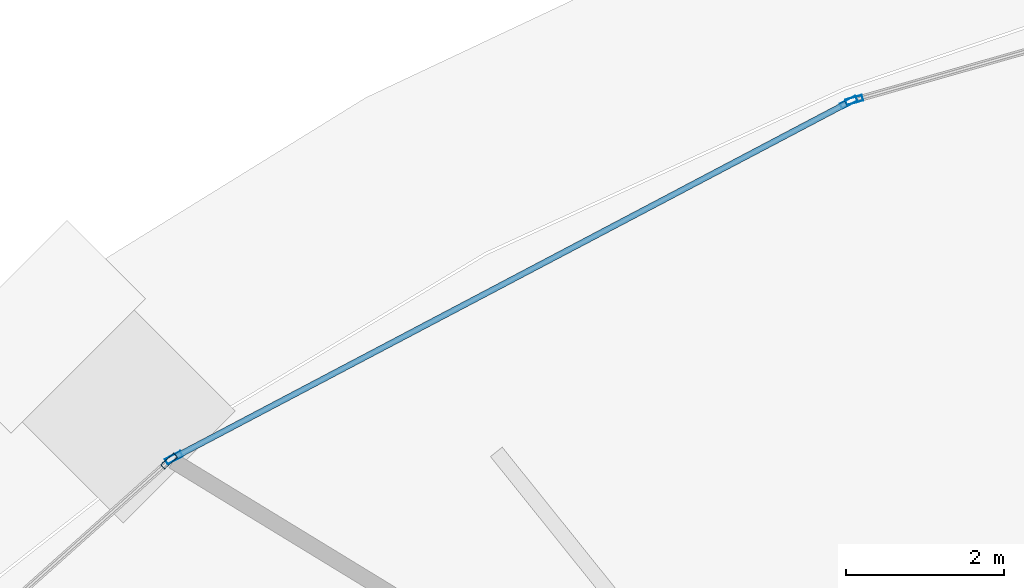
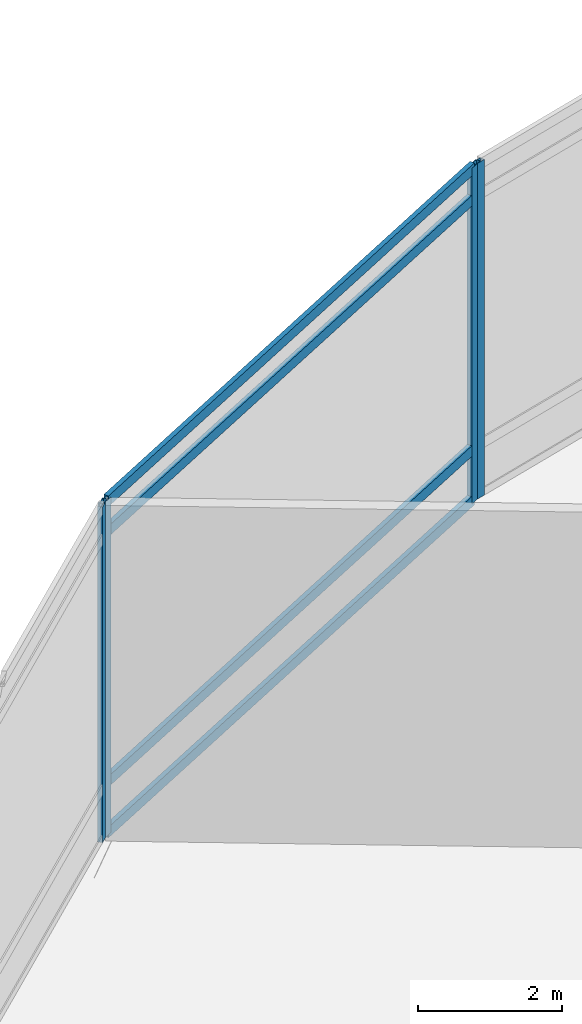
# One storey, part 18 of 40: 8 members, 3 elements without a shape of their own.
"""IFC4 building model written with IfcOpenShell, lengths in metres."""

from ifc_helpers import new_model, si_unit, direction, frame, origin, origin_2d, place, context, subcontext, project, spatial, hollow_rectangle, extrude, material, layer, layer_set, material_profile, profile_set, type_object, element, aggregate, save


model = new_model("IFC4")

# Units and contexts
model_context = context("Model", 3, precision=1e-05, world=origin(), true_north=direction((0.0, 1.0)))
body_context = subcontext(model_context, "Body", "Model", "MODEL_VIEW")
ifc_project = project(units=[si_unit("LENGTHUNIT", "METRE"), si_unit("AREAUNIT", "SQUARE_METRE"), si_unit("VOLUMEUNIT", "CUBIC_METRE"), si_unit("PLANEANGLEUNIT", "RADIAN"), si_unit("MASSUNIT", "GRAM", prefix="KILO")], contexts=[model_context])

# Site, building, storey
site_placement = place(None, origin())
site = spatial("IfcSite", under=ifc_project, at=site_placement, CompositionType="ELEMENT")
building_placement = place(site_placement, origin())
building = spatial("IfcBuilding", under=site, at=building_placement, Name="Nuhasar Tower", CompositionType="ELEMENT")
storey_placement = place(building_placement, origin())
storey = spatial("IfcBuildingStorey", under=building, at=storey_placement, Name="L00", CompositionType="ELEMENT", Elevation=0.0)

# Curtain wall, member
ifc_material = material(Name="Aluminium 6063-T6", Category="aluminium")
ifc_layer = layer(ifc_material, 0.219970703125)
ifc_layer_set = layer_set([ifc_layer], Name="Aluminium 6063-T6")
curtain_wall_type = type_object("IfcCurtainWallType", Name="CW-PODIUM", PredefinedType="NOTDEFINED", material=ifc_layer_set)
curtain_wall_1_placement = place(storey_placement, origin())
curtain_wall_1 = element("IfcCurtainWall", 1, at=curtain_wall_1_placement, inside=storey, type_object=curtain_wall_type, Name="L00 Podium Curtain Wall Bay 08", PredefinedType="NOTDEFINED")
ifc_material_profile_1 = material_profile(ifc_material, hollow_rectangle(XDim=0.074951171875, YDim=0.219970703125, WallThickness=0.0048828125, at=origin_2d()), Name="CWM-1")
ifc_profile_set_1 = profile_set([ifc_material_profile_1], Name="Aluminium 6063-T6")
member_type_1 = type_object("IfcMemberType", Name="CW-MUL-S1", PredefinedType="MULLION", material=ifc_profile_set_1)
member_1_placement = place(storey_placement, frame((18.316162109375, 51.440185546875, 0.0), z_axis=(0.0, 0.0, 1.0), x_axis=(0.273411675586, -0.961897112821, 0.0)))
member_1 = element("IfcMember", 2, at=member_1_placement, type_object=member_type_1, Name="CW-P1 mullion 2", PredefinedType="MULLION", context=body_context, shape_type="SweptSolid", body=[
    extrude(hollow_rectangle(XDim=0.074951171875, YDim=0.219970703125, WallThickness=0.0048828125, at=origin_2d()), origin(), (0.0, 0.0, 1.0), 5.699951171875),
])
aggregate(curtain_wall_1, [member_1])

# Curtain wall, members
curtain_wall_2_placement = place(storey_placement, origin())
curtain_wall_2 = element("IfcCurtainWall", 3, at=curtain_wall_2_placement, inside=storey, type_object=curtain_wall_type, Name="L00 Podium Curtain Wall Bay 09", PredefinedType="NOTDEFINED")
member_2_placement = place(storey_placement, frame((18.246826171875, 51.41259765625, 0.0), z_axis=(0.0, 0.0, 1.0), x_axis=(0.46595885722, -0.88480638751, 0.0)))
member_2 = element("IfcMember", 4, at=member_2_placement, type_object=member_type_1, Name="CW-P1 mullion 1", PredefinedType="MULLION", context=body_context, shape_type="SweptSolid", body=[
    extrude(hollow_rectangle(XDim=0.074951171875, YDim=0.219970703125, WallThickness=0.0048828125, at=origin_2d()), origin(), (0.0, 0.0, 1.0), 5.699951171875),
])
member_3_placement = place(storey_placement, frame((9.730224609375, 46.927490234375, 0.0), z_axis=(0.0, 0.0, 1.0), x_axis=(0.46595885722, -0.88480638751, 0.0)))
member_3 = element("IfcMember", 5, at=member_3_placement, type_object=member_type_1, Name="CW-P1 mullion 2", PredefinedType="MULLION", context=body_context, shape_type="SweptSolid", body=[
    extrude(hollow_rectangle(XDim=0.074951171875, YDim=0.219970703125, WallThickness=0.0048828125, at=origin_2d()), origin(), (0.0, 0.0, 1.0), 5.699951171875),
])

# Curtain wall, member
curtain_wall_3_placement = place(storey_placement, origin())
curtain_wall_3 = element("IfcCurtainWall", 6, at=curtain_wall_3_placement, inside=storey, type_object=curtain_wall_type, Name="L00 Podium Curtain Wall Bay 10", PredefinedType="NOTDEFINED")
member_4_placement = place(storey_placement, frame((9.6689453125, 46.885009765625, 0.0), z_axis=(0.0, 0.0, 1.0), x_axis=(0.666679051092, -0.745344915348, 0.0)))
member_4 = element("IfcMember", 7, at=member_4_placement, type_object=member_type_1, Name="CW-P1 mullion 1", PredefinedType="MULLION", context=body_context, shape_type="SweptSolid", body=[
    extrude(hollow_rectangle(XDim=0.074951171875, YDim=0.219970703125, WallThickness=0.0048828125, at=origin_2d()), origin(), (0.0, 0.0, 1.0), 5.699951171875),
])
aggregate(curtain_wall_3, [member_4])

# Member
ifc_material_profile_2 = material_profile(ifc_material, hollow_rectangle(XDim=0.074951171875, YDim=0.179931640625, WallThickness=0.00439453125, at=origin_2d()), Name="CWT-1")
ifc_profile_set_2 = profile_set([ifc_material_profile_2], Name="Aluminium 6063-T6")
member_type_2 = type_object("IfcMemberType", Name="CW-TRN-S1", PredefinedType="USERDEFINED", material=ifc_profile_set_2)
member_5_placement = place(storey_placement, frame((18.213623046875, 51.39501953125, 0.03759765625), z_axis=(-0.884811175238, -0.465949765719, 0.0), x_axis=(0.465949765719, -0.884811175238, 0.0)))
member_5 = element("IfcMember", 8, at=member_5_placement, type_object=member_type_2, Name="CW-P1 transom 1.1", ObjectType="TRANSOM", PredefinedType="USERDEFINED", context=body_context, shape_type="SweptSolid", body=[
    extrude(hollow_rectangle(XDim=0.074951171875, YDim=0.179931640625, WallThickness=0.00439453125, at=origin_2d()), origin(), (0.0, 0.0, 1.0), 9.55029296875),
])

member_6_placement = place(storey_placement, frame((18.213623046875, 51.39501953125, 0.89990234375), z_axis=(-0.884811175238, -0.465949765719, 0.0), x_axis=(0.465949765719, -0.884811175238, 0.0)))
member_6 = element("IfcMember", 9, at=member_6_placement, type_object=member_type_2, Name="CW-P1 transom 1.2", ObjectType="TRANSOM", PredefinedType="USERDEFINED", context=body_context, shape_type="SweptSolid", body=[
    extrude(hollow_rectangle(XDim=0.074951171875, YDim=0.179931640625, WallThickness=0.00439453125, at=origin_2d()), origin(), (0.0, 0.0, 1.0), 9.55029296875),
])

member_7_placement = place(storey_placement, frame((18.213623046875, 51.39501953125, 5.14990234375), z_axis=(-0.884811175238, -0.465949765719, 0.0), x_axis=(0.465949765719, -0.884811175238, 0.0)))
member_7 = element("IfcMember", 10, at=member_7_placement, type_object=member_type_2, Name="CW-P1 transom 1.3", ObjectType="TRANSOM", PredefinedType="USERDEFINED", context=body_context, shape_type="SweptSolid", body=[
    extrude(hollow_rectangle(XDim=0.074951171875, YDim=0.179931640625, WallThickness=0.00439453125, at=origin_2d()), origin(), (0.0, 0.0, 1.0), 9.55029296875),
])

member_8_placement = place(storey_placement, frame((18.213623046875, 51.39501953125, 5.66259765625), z_axis=(-0.884811175238, -0.465949765719, 0.0), x_axis=(0.465949765719, -0.884811175238, 0.0)))
member_8 = element("IfcMember", 11, at=member_8_placement, type_object=member_type_2, Name="CW-P1 transom 1.4", ObjectType="TRANSOM", PredefinedType="USERDEFINED", context=body_context, shape_type="SweptSolid", body=[
    extrude(hollow_rectangle(XDim=0.074951171875, YDim=0.179931640625, WallThickness=0.00439453125, at=origin_2d()), origin(), (0.0, 0.0, 1.0), 9.55029296875),
])

aggregate(curtain_wall_2, [member_2, member_3, member_5, member_6, member_7, member_8])

save(model, "model.ifc")
